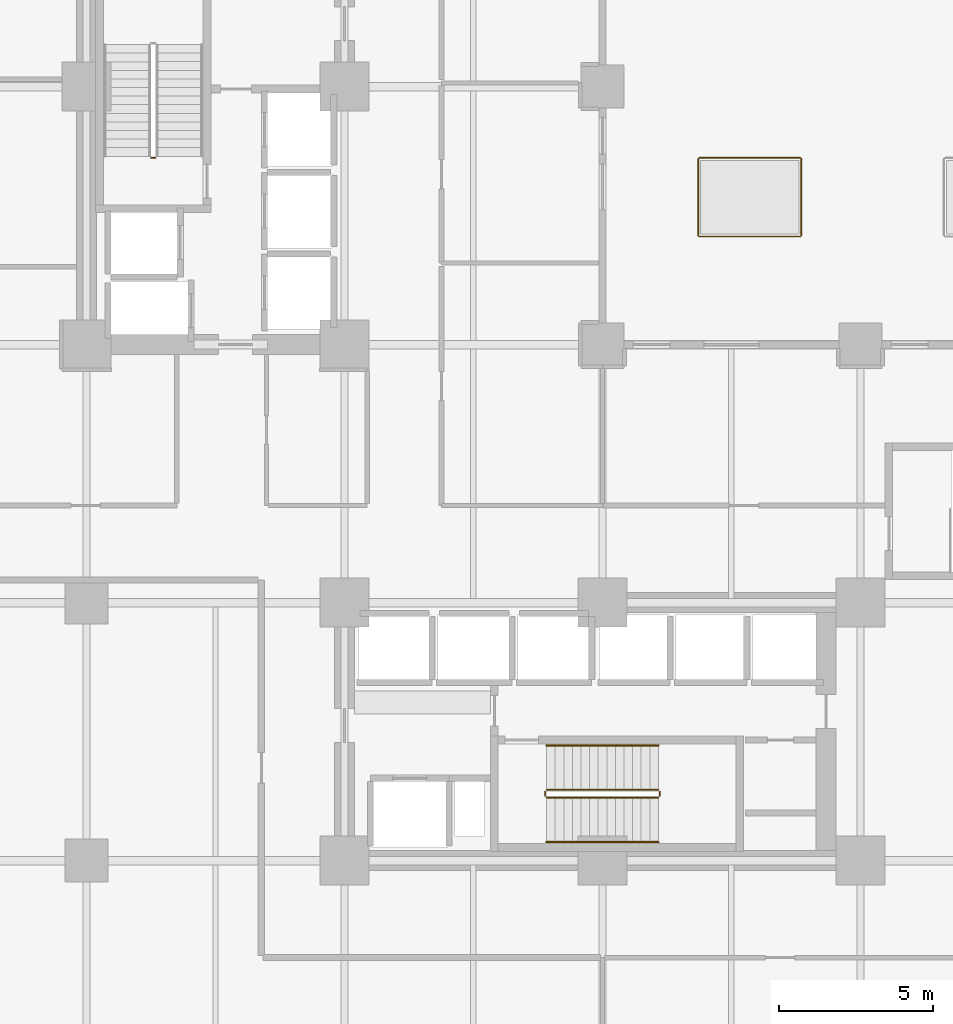
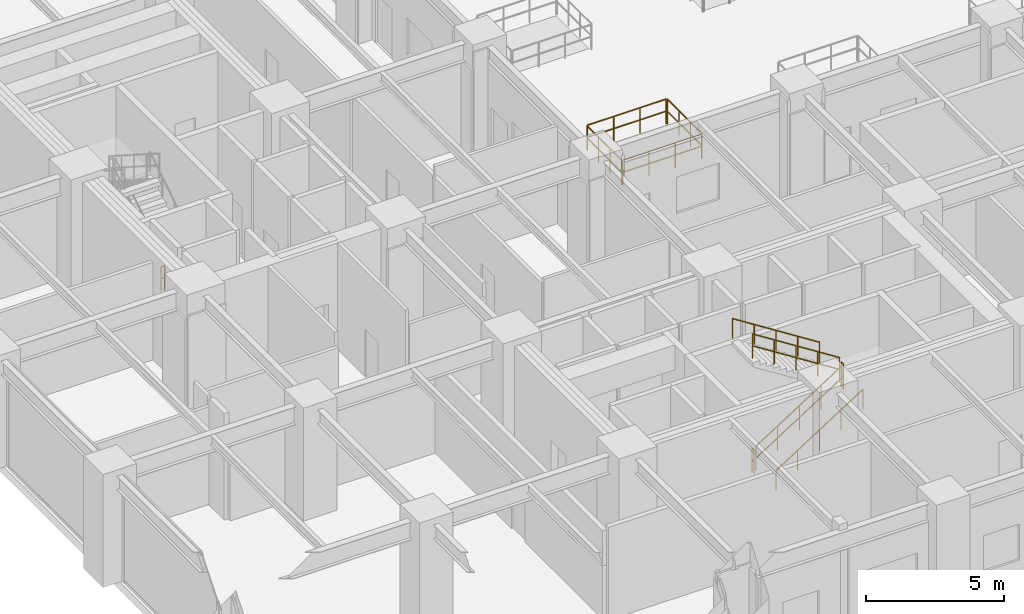
# One storey, part 18 of 21: 11 railings.
"""IFC4 building model written with IfcOpenShell, lengths in metres."""

from ifc_helpers import new_model, si_unit, direction, frame, origin, origin_2d, place, context, subcontext, project, spatial, circle, extrude, material, type_object, element, save


model = new_model("IFC4")

# Units and contexts
model_context = context("Model", 3, precision=1e-05, world=origin(), true_north=direction((0.0, 1.0)))
body_context = subcontext(model_context, "Body", "Model", "MODEL_VIEW")
ifc_project = project(units=[si_unit("LENGTHUNIT", "METRE"), si_unit("AREAUNIT", "SQUARE_METRE"), si_unit("VOLUMEUNIT", "CUBIC_METRE"), si_unit("PLANEANGLEUNIT", "RADIAN"), si_unit("MASSUNIT", "GRAM", prefix="KILO")], contexts=[model_context])

# Site, building, storey
site_placement = place(None, origin())
site = spatial("IfcSite", under=ifc_project, at=site_placement, CompositionType="ELEMENT")
building_placement = place(site_placement, origin())
building = spatial("IfcBuilding", under=site, at=building_placement, Name="Nerrivon Quay Data Exchange", CompositionType="ELEMENT")
storey_placement = place(building_placement, frame((0.0, 0.0, 19.800048828125)))
storey = spatial("IfcBuildingStorey", under=building, at=storey_placement, Name="L04", CompositionType="ELEMENT", Elevation=19.800048828125)

# Railings
ifc_material = material(Name="Steel Grade C350L0 (350 MPa)", Category="steel")
railing_type_1 = type_object("IfcRailingType", Name="RAIL-GUARD-GR2", PredefinedType="BALUSTRADE", material=ifc_material)
railing_1_placement = place(storey_placement, frame((28.35009765625, 28.719970703125, 0.0)))
element("IfcRailing", 1, at=railing_1_placement, inside=storey, type_object=railing_type_1, Name="L04 Atrium Skylight Guard 1 1", PredefinedType="BALUSTRADE", context=body_context, shape_type="SweptSolid", body=[
    extrude(circle(Radius=0.02392578125, at=origin_2d()), frame((0.0, 0.0, 1.09619140625), z_axis=(1.0, 0.0, 0.0), x_axis=(0.0, 1.0, 0.0)), (0.0, 0.0, 1.0), 3.2998046875),
    extrude(circle(Radius=0.02392578125, at=origin_2d()), frame((0.0, 0.0, 0.56005859375), z_axis=(1.0, 0.0, 0.0), x_axis=(0.0, 1.0, 0.0)), (0.0, 0.0, 1.0), 3.2998046875),
    extrude(circle(Radius=0.02099609375, at=origin_2d()), origin(), (0.0, 0.0, 1.0), 1.072021484375),
    extrude(circle(Radius=0.02099609375, at=origin_2d()), frame((1.099853515625, 0.0, 0.0)), (0.0, 0.0, 1.0), 1.072021484375),
    extrude(circle(Radius=0.02099609375, at=origin_2d()), frame((2.199951171875, 0.0, 0.0)), (0.0, 0.0, 1.0), 1.072021484375),
    extrude(circle(Radius=0.02099609375, at=origin_2d()), frame((3.2998046875, 0.0, 0.0)), (0.0, 0.0, 1.0), 1.072021484375),
])
railing_2_placement = place(storey_placement, frame((31.679931640625, 28.75, 0.0)))
element("IfcRailing", 2, at=railing_2_placement, inside=storey, type_object=railing_type_1, Name="L04 Atrium Skylight Guard 1 2", PredefinedType="BALUSTRADE", context=body_context, shape_type="SweptSolid", body=[
    extrude(circle(Radius=0.02392578125, at=origin_2d()), frame((0.0, 0.0, 1.09619140625), z_axis=(0.0, 1.0, 0.0), x_axis=(-1.0, 0.0, 0.0)), (0.0, 0.0, 1.0), 2.5),
    extrude(circle(Radius=0.02392578125, at=origin_2d()), frame((0.0, 0.0, 0.56005859375), z_axis=(0.0, 1.0, 0.0), x_axis=(-1.0, 0.0, 0.0)), (0.0, 0.0, 1.0), 2.5),
    extrude(circle(Radius=0.02099609375, at=origin_2d()), origin(), (0.0, 0.0, 1.0), 1.072021484375),
    extrude(circle(Radius=0.02099609375, at=origin_2d()), frame((0.0, 0.833251953125, 0.0)), (0.0, 0.0, 1.0), 1.072021484375),
    extrude(circle(Radius=0.02099609375, at=origin_2d()), frame((0.0, 1.666748046875, 0.0)), (0.0, 0.0, 1.0), 1.072021484375),
    extrude(circle(Radius=0.02099609375, at=origin_2d()), frame((0.0, 2.5, 0.0)), (0.0, 0.0, 1.0), 1.072021484375),
])
railing_3_placement = place(storey_placement, frame((31.64990234375, 31.280029296875, 0.0)))
element("IfcRailing", 3, at=railing_3_placement, inside=storey, type_object=railing_type_1, Name="L04 Atrium Skylight Guard 1 3", PredefinedType="BALUSTRADE", context=body_context, shape_type="SweptSolid", body=[
    extrude(circle(Radius=0.02392578125, at=origin_2d()), frame((0.0, 0.0, 1.09619140625), z_axis=(-1.0, 0.0, 0.0), x_axis=(0.0, -1.0, 0.0)), (0.0, 0.0, 1.0), 3.2998046875),
    extrude(circle(Radius=0.02392578125, at=origin_2d()), frame((0.0, 0.0, 0.56005859375), z_axis=(-1.0, 0.0, 0.0), x_axis=(0.0, -1.0, 0.0)), (0.0, 0.0, 1.0), 3.2998046875),
    extrude(circle(Radius=0.02099609375, at=origin_2d()), origin(), (0.0, 0.0, 1.0), 1.072021484375),
    extrude(circle(Radius=0.02099609375, at=origin_2d()), frame((-1.099853515625, 0.0, 0.0)), (0.0, 0.0, 1.0), 1.072021484375),
    extrude(circle(Radius=0.02099609375, at=origin_2d()), frame((-2.199951171875, 0.0, 0.0)), (0.0, 0.0, 1.0), 1.072021484375),
    extrude(circle(Radius=0.02099609375, at=origin_2d()), frame((-3.2998046875, 0.0, 0.0)), (0.0, 0.0, 1.0), 1.072021484375),
])
railing_4_placement = place(storey_placement, frame((28.320068359375, 31.25, 0.0)))
element("IfcRailing", 4, at=railing_4_placement, inside=storey, type_object=railing_type_1, Name="L04 Atrium Skylight Guard 1 4", PredefinedType="BALUSTRADE", context=body_context, shape_type="SweptSolid", body=[
    extrude(circle(Radius=0.02392578125, at=origin_2d()), frame((0.0, 0.0, 1.09619140625), z_axis=(0.0, -1.0, 0.0), x_axis=(1.0, 0.0, 0.0)), (0.0, 0.0, 1.0), 2.5),
    extrude(circle(Radius=0.02392578125, at=origin_2d()), frame((0.0, 0.0, 0.56005859375), z_axis=(0.0, -1.0, 0.0), x_axis=(1.0, 0.0, 0.0)), (0.0, 0.0, 1.0), 2.5),
    extrude(circle(Radius=0.02099609375, at=origin_2d()), origin(), (0.0, 0.0, 1.0), 1.072021484375),
    extrude(circle(Radius=0.02099609375, at=origin_2d()), frame((0.0, -0.833251953125, 0.0)), (0.0, 0.0, 1.0), 1.072021484375),
    extrude(circle(Radius=0.02099609375, at=origin_2d()), frame((0.0, -1.666748046875, 0.0)), (0.0, 0.0, 1.0), 1.072021484375),
    extrude(circle(Radius=0.02099609375, at=origin_2d()), frame((0.0, -2.5, 0.0)), (0.0, 0.0, 1.0), 1.072021484375),
])
railing_type_2 = type_object("IfcRailingType", Name="RAIL-HAND-HR1", PredefinedType="HANDRAIL", material=ifc_material)
railing_5_placement = place(storey_placement, frame((23.3798828125, 9.0, 0.178466796875)))
element("IfcRailing", 5, at=railing_5_placement, inside=storey, type_object=railing_type_2, Name="L04 ST02 stair handrail 1", PredefinedType="HANDRAIL", context=body_context, shape_type="SweptSolid", body=[
    extrude(circle(Radius=0.02392578125, at=origin_2d()), frame((0.0, 0.0, 0.8759765625), z_axis=(0.843127859045, 0.0, 0.537713132908), x_axis=(0.0, 1.0, 0.0)), (0.0, 0.0, 1.0), 4.3173828125),
    extrude(circle(Radius=0.02099609375, at=origin_2d()), origin(), (0.0, 0.0, 1.0), 0.851806640625),
    extrude(circle(Radius=0.02099609375, at=origin_2d()), frame((0.91015625, 0.0, 0.580322265625)), (0.0, 0.0, 1.0), 0.851806640625),
    extrude(circle(Radius=0.02099609375, at=origin_2d()), frame((1.820068359375, 0.0, 1.16064453125)), (0.0, 0.0, 1.0), 0.851806640625),
    extrude(circle(Radius=0.02099609375, at=origin_2d()), frame((2.72998046875, 0.0, 1.7412109375)), (0.0, 0.0, 1.0), 0.851806640625),
    extrude(circle(Radius=0.02099609375, at=origin_2d()), frame((3.64013671875, 0.0, 2.321533203125)), (0.0, 0.0, 1.0), 0.851806640625),
])
railing_6_placement = place(storey_placement, frame((27.02001953125, 12.14990234375, 2.678466796875)))
element("IfcRailing", 6, at=railing_6_placement, inside=storey, type_object=railing_type_2, Name="L04 ST02 stair handrail 2", PredefinedType="HANDRAIL", context=body_context, shape_type="SweptSolid", body=[
    extrude(circle(Radius=0.02392578125, at=origin_2d()), frame((0.0, 0.0, 0.8759765625), z_axis=(-0.843127859045, 0.0, 0.537713132908), x_axis=(0.0, -1.0, 0.0)), (0.0, 0.0, 1.0), 4.3173828125),
    extrude(circle(Radius=0.02099609375, at=origin_2d()), origin(), (0.0, 0.0, 1.0), 0.851806640625),
    extrude(circle(Radius=0.02099609375, at=origin_2d()), frame((-0.91015625, 0.0, 0.580322265625)), (0.0, 0.0, 1.0), 0.851806640625),
    extrude(circle(Radius=0.02099609375, at=origin_2d()), frame((-1.820068359375, 0.0, 1.16064453125)), (0.0, 0.0, 1.0), 0.851806640625),
    extrude(circle(Radius=0.02099609375, at=origin_2d()), frame((-2.72998046875, 0.0, 1.7412109375)), (0.0, 0.0, 1.0), 0.851806640625),
    extrude(circle(Radius=0.02099609375, at=origin_2d()), frame((-3.64013671875, 0.0, 2.321533203125)), (0.0, 0.0, 1.0), 0.851806640625),
])
railing_type_3 = type_object("IfcRailingType", Name="RAIL-STAIR-GR1", PredefinedType="BALUSTRADE", material=ifc_material)
railing_7_placement = place(storey_placement, frame((10.64990234375, 31.280029296875, 0.0)))
element("IfcRailing", 7, at=railing_7_placement, inside=storey, type_object=railing_type_3, Name="L04 ST01 stair guard 4", PredefinedType="BALUSTRADE", context=body_context, shape_type="SweptSolid", body=[
    extrude(circle(Radius=0.02392578125, at=origin_2d()), frame((0.0, 0.0, 1.076171875), z_axis=(-1.0, 0.0, 0.0), x_axis=(0.0, -1.0, 0.0)), (0.0, 0.0, 1.0), 0.14990234375),
    extrude(circle(Radius=0.02392578125, at=origin_2d()), frame((0.0, 0.0, 0.550048828125), z_axis=(-1.0, 0.0, 0.0), x_axis=(0.0, -1.0, 0.0)), (0.0, 0.0, 1.0), 0.14990234375),
    extrude(circle(Radius=0.02099609375, at=origin_2d()), origin(), (0.0, 0.0, 1.0), 1.052001953125),
    extrude(circle(Radius=0.02099609375, at=origin_2d()), frame((-0.14990234375, 0.0, 0.0)), (0.0, 0.0, 1.0), 1.052001953125),
])
railing_8_placement = place(storey_placement, frame((23.3798828125, 10.449951171875, 0.178466796875)))
element("IfcRailing", 8, at=railing_8_placement, inside=storey, type_object=railing_type_3, Name="L04 ST02 stair guard 1", PredefinedType="BALUSTRADE", context=body_context, shape_type="SweptSolid", body=[
    extrude(circle(Radius=0.02392578125, at=origin_2d()), frame((0.0, 0.0, 1.076171875), z_axis=(0.843127859045, 0.0, 0.537713132908), x_axis=(0.0, 1.0, 0.0)), (0.0, 0.0, 1.0), 4.3173828125),
    extrude(circle(Radius=0.02392578125, at=origin_2d()), frame((0.0, 0.0, 0.550048828125), z_axis=(0.843127859045, 0.0, 0.537713132908), x_axis=(0.0, 1.0, 0.0)), (0.0, 0.0, 1.0), 4.3173828125),
    extrude(circle(Radius=0.02099609375, at=origin_2d()), origin(), (0.0, 0.0, 1.0), 1.052001953125),
    extrude(circle(Radius=0.02099609375, at=origin_2d()), frame((0.91015625, 0.0, 0.580322265625)), (0.0, 0.0, 1.0), 1.052001953125),
    extrude(circle(Radius=0.02099609375, at=origin_2d()), frame((1.820068359375, 0.0, 1.16064453125)), (0.0, 0.0, 1.0), 1.052001953125),
    extrude(circle(Radius=0.02099609375, at=origin_2d()), frame((2.72998046875, 0.0, 1.7412109375)), (0.0, 0.0, 1.0), 1.052001953125),
    extrude(circle(Radius=0.02099609375, at=origin_2d()), frame((3.64013671875, 0.0, 2.321533203125)), (0.0, 0.0, 1.0), 1.052001953125),
])
railing_9_placement = place(storey_placement, frame((27.070068359375, 10.5, 2.5)))
element("IfcRailing", 9, at=railing_9_placement, inside=storey, type_object=railing_type_3, Name="L04 ST02 stair guard 2", PredefinedType="BALUSTRADE", context=body_context, shape_type="SweptSolid", body=[
    extrude(circle(Radius=0.02392578125, at=origin_2d()), frame((0.0, 0.0, 1.076171875), z_axis=(0.0, 1.0, 0.0), x_axis=(-1.0, 0.0, 0.0)), (0.0, 0.0, 1.0), 0.14990234375),
    extrude(circle(Radius=0.02392578125, at=origin_2d()), frame((0.0, 0.0, 0.550048828125), z_axis=(0.0, 1.0, 0.0), x_axis=(-1.0, 0.0, 0.0)), (0.0, 0.0, 1.0), 0.14990234375),
    extrude(circle(Radius=0.02099609375, at=origin_2d()), origin(), (0.0, 0.0, 1.0), 1.052001953125),
    extrude(circle(Radius=0.02099609375, at=origin_2d()), frame((0.0, 0.14990234375, 0.0)), (0.0, 0.0, 1.0), 1.052001953125),
])
railing_10_placement = place(storey_placement, frame((27.02001953125, 10.699951171875, 2.678466796875)))
element("IfcRailing", 10, at=railing_10_placement, inside=storey, type_object=railing_type_3, Name="L04 ST02 stair guard 3", PredefinedType="BALUSTRADE", context=body_context, shape_type="SweptSolid", body=[
    extrude(circle(Radius=0.02392578125, at=origin_2d()), frame((0.0, 0.0, 1.076171875), z_axis=(-0.843127859045, 0.0, 0.537713132908), x_axis=(0.0, -1.0, 0.0)), (0.0, 0.0, 1.0), 4.3173828125),
    extrude(circle(Radius=0.02392578125, at=origin_2d()), frame((0.0, 0.0, 0.550048828125), z_axis=(-0.843127859045, 0.0, 0.537713132908), x_axis=(0.0, -1.0, 0.0)), (0.0, 0.0, 1.0), 4.3173828125),
    extrude(circle(Radius=0.02099609375, at=origin_2d()), origin(), (0.0, 0.0, 1.0), 1.052001953125),
    extrude(circle(Radius=0.02099609375, at=origin_2d()), frame((-0.91015625, 0.0, 0.580322265625)), (0.0, 0.0, 1.0), 1.052001953125),
    extrude(circle(Radius=0.02099609375, at=origin_2d()), frame((-1.820068359375, 0.0, 1.16064453125)), (0.0, 0.0, 1.0), 1.052001953125),
    extrude(circle(Radius=0.02099609375, at=origin_2d()), frame((-2.72998046875, 0.0, 1.7412109375)), (0.0, 0.0, 1.0), 1.052001953125),
    extrude(circle(Radius=0.02099609375, at=origin_2d()), frame((-3.64013671875, 0.0, 2.321533203125)), (0.0, 0.0, 1.0), 1.052001953125),
])
railing_11_placement = place(storey_placement, frame((23.330078125, 10.5, 0.0)))
element("IfcRailing", 11, at=railing_11_placement, inside=storey, type_object=railing_type_3, Name="L04 ST02 stair guard 4", PredefinedType="BALUSTRADE", context=body_context, shape_type="SweptSolid", body=[
    extrude(circle(Radius=0.02392578125, at=origin_2d()), frame((0.0, 0.0, 1.076171875), z_axis=(0.0, 1.0, 0.0), x_axis=(-1.0, 0.0, 0.0)), (0.0, 0.0, 1.0), 0.14990234375),
    extrude(circle(Radius=0.02392578125, at=origin_2d()), frame((0.0, 0.0, 0.550048828125), z_axis=(0.0, 1.0, 0.0), x_axis=(-1.0, 0.0, 0.0)), (0.0, 0.0, 1.0), 0.14990234375),
    extrude(circle(Radius=0.02099609375, at=origin_2d()), origin(), (0.0, 0.0, 1.0), 1.052001953125),
    extrude(circle(Radius=0.02099609375, at=origin_2d()), frame((0.0, 0.14990234375, 0.0)), (0.0, 0.0, 1.0), 1.052001953125),
])

save(model, "model.ifc")
